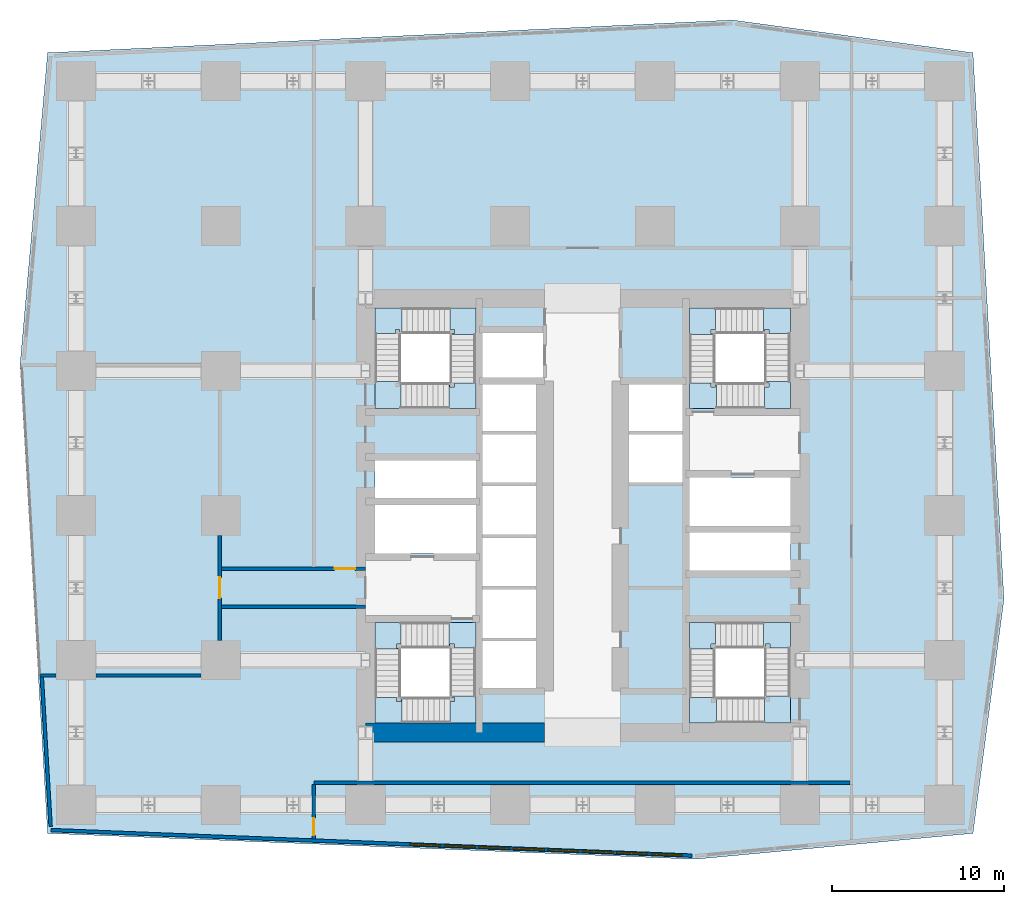
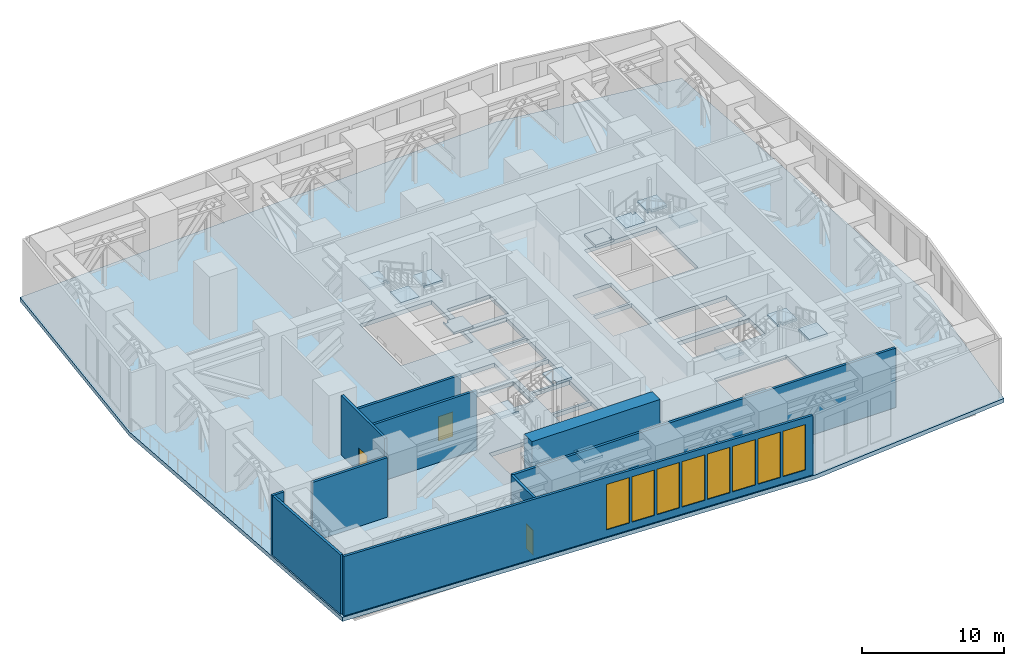
# One storey, part 8 of 16: 17 slabs, 10 walls, 8 windows, 3 doors, 11 openings, 4 elements without a shape of their own.
"""IFC4 building model written with IfcOpenShell, lengths in metres."""

from ifc_helpers import new_model, si_unit, direction, frame, frame_2d, origin, place, context, subcontext, project, spatial, polyline, rectangle, outline, extrude, material, layer, layer_set, type_object, element, fill, aggregate, save


model = new_model("IFC4")

# Units and contexts
model_context = context("Model", 3, precision=1e-05, world=origin(), true_north=direction((0.0, 1.0)))
body_context = subcontext(model_context, "Body", "Model", "MODEL_VIEW")
ifc_project = project(units=[si_unit("LENGTHUNIT", "METRE"), si_unit("AREAUNIT", "SQUARE_METRE"), si_unit("VOLUMEUNIT", "CUBIC_METRE"), si_unit("PLANEANGLEUNIT", "RADIAN"), si_unit("MASSUNIT", "GRAM", prefix="KILO")], contexts=[model_context])

# Site, building, storey
site_placement = place(None, origin())
site = spatial("IfcSite", under=ifc_project, at=site_placement, CompositionType="ELEMENT")
building_placement = place(site_placement, origin())
building = spatial("IfcBuilding", under=site, at=building_placement, Name="Rekha Terrace Tower", CompositionType="ELEMENT")
storey_placement = place(building_placement, frame((0.0, 0.0, 240.199951171875)))
storey = spatial("IfcBuildingStorey", under=building, at=storey_placement, Name="L61", CompositionType="ELEMENT", Elevation=240.199951171875)

# Stair, slabs
ifc_material_1 = material(Name="Concrete M40", Category="concrete")
stair_type = type_object("IfcStairType", Name="ST40 stair, 40 risers of 135, going 310, 1500 wide flights, 4 flights", PredefinedType="QUARTER_TURN_STAIR", material=ifc_material_1)
stair_1_placement = place(storey_placement, origin())
stair_1 = element("IfcStair", 1, at=stair_1_placement, inside=storey, type_object=stair_type, Name="Stair ST1 L61 to L62", PredefinedType="QUARTER_TURN_STAIR")
ifc_layer_1 = layer(ifc_material_1, 0.199951171875)
ifc_layer_set_1 = layer_set([ifc_layer_1], Name="Concrete M40")
slab_type_1 = type_object("IfcSlabType", Name="LD1 200 concrete stair landing", PredefinedType="LANDING", material=ifc_layer_set_1)
slab_1_placement = place(storey_placement, frame((0.0, 0.0, 1.150146484375)))
slab_1 = element("IfcSlab", 2, at=slab_1_placement, type_object=slab_type_1, Name="ST1 landing 1", PredefinedType="LANDING", context=body_context, shape_type="SweptSolid", body=[
    extrude(outline(polyline([(30.10009765625, 21.550048828125), (31.60009765625, 21.550048828125), (31.60009765625, 23.110107421875), (30.10009765625, 23.110107421875), (30.10009765625, 23.050048828125), (30.35009765625, 23.050048828125), (30.35009765625, 22.800048828125), (30.10009765625, 22.800048828125), (30.10009765625, 21.550048828125)])), origin(), (0.0, 0.0, 1.0), 0.199951171875),
])
slab_2_placement = place(storey_placement, frame((0.0, 0.0, 2.5)))
slab_2 = element("IfcSlab", 3, at=slab_2_placement, type_object=slab_type_1, Name="ST1 landing 2", PredefinedType="LANDING", context=body_context, shape_type="SweptSolid", body=[
    extrude(outline(polyline([(25.75, 23.050048828125), (25.75, 21.550048828125), (27.31005859375, 21.550048828125), (27.31005859375, 23.050048828125), (27.25, 23.050048828125), (27.25, 22.800048828125), (27.0, 22.800048828125), (27.0, 23.050048828125), (25.75, 23.050048828125)])), origin(), (0.0, 0.0, 1.0), 0.199951171875),
])
slab_3_placement = place(storey_placement, frame((0.0, 0.0, 3.85009765625)))
slab_3 = element("IfcSlab", 4, at=slab_3_placement, type_object=slab_type_1, Name="ST1 landing 3", PredefinedType="LANDING", context=body_context, shape_type="SweptSolid", body=[
    extrude(outline(polyline([(27.25, 27.39990234375), (25.75, 27.39990234375), (25.75, 25.840087890625), (27.25, 25.840087890625), (27.25, 25.89990234375), (27.0, 25.89990234375), (27.0, 26.14990234375), (27.25, 26.14990234375), (27.25, 27.39990234375)])), origin(), (0.0, 0.0, 1.0), 0.199951171875),
])
slab_4_placement = place(storey_placement, frame((0.0, 0.0, 5.199951171875)))
slab_4 = element("IfcSlab", 5, at=slab_4_placement, type_object=slab_type_1, Name="ST1 landing 4", PredefinedType="LANDING", context=body_context, shape_type="SweptSolid", body=[
    extrude(outline(polyline([(31.60009765625, 25.89990234375), (31.60009765625, 27.39990234375), (30.0400390625, 27.39990234375), (30.0400390625, 25.89990234375), (30.10009765625, 25.89990234375), (30.10009765625, 26.14990234375), (30.35009765625, 26.14990234375), (30.35009765625, 25.89990234375), (31.60009765625, 25.89990234375)])), origin(), (0.0, 0.0, 1.0), 0.2001953125),
])
aggregate(stair_1, [slab_1, slab_2, slab_3, slab_4])

stair_2_placement = place(storey_placement, origin())
stair_2 = element("IfcStair", 6, at=stair_2_placement, inside=storey, type_object=stair_type, Name="Stair ST2 L61 to L62", PredefinedType="QUARTER_TURN_STAIR")
slab_5_placement = place(storey_placement, frame((0.0, 0.0, 1.150146484375)))
slab_5 = element("IfcSlab", 7, at=slab_5_placement, type_object=slab_type_1, Name="ST2 landing 1", PredefinedType="LANDING", context=body_context, shape_type="SweptSolid", body=[
    extrude(outline(polyline([(45.5, 45.64990234375), (44.0, 45.64990234375), (44.0, 44.090087890625), (45.5, 44.090087890625), (45.5, 44.14990234375), (45.25, 44.14990234375), (45.25, 44.39990234375), (45.5, 44.39990234375), (45.5, 45.64990234375)])), origin(), (0.0, 0.0, 1.0), 0.199951171875),
])
slab_6_placement = place(storey_placement, frame((0.0, 0.0, 2.5)))
slab_6 = element("IfcSlab", 8, at=slab_6_placement, type_object=slab_type_1, Name="ST2 landing 2", PredefinedType="LANDING", context=body_context, shape_type="SweptSolid", body=[
    extrude(outline(polyline([(49.85009765625, 44.14990234375), (49.85009765625, 45.64990234375), (48.2900390625, 45.64990234375), (48.2900390625, 44.14990234375), (48.35009765625, 44.14990234375), (48.35009765625, 44.39990234375), (48.60009765625, 44.39990234375), (48.60009765625, 44.14990234375), (49.85009765625, 44.14990234375)])), origin(), (0.0, 0.0, 1.0), 0.199951171875),
])
slab_7_placement = place(storey_placement, frame((0.0, 0.0, 3.85009765625)))
slab_7 = element("IfcSlab", 9, at=slab_7_placement, type_object=slab_type_1, Name="ST2 landing 3", PredefinedType="LANDING", context=body_context, shape_type="SweptSolid", body=[
    extrude(outline(polyline([(48.35009765625, 39.800048828125), (49.85009765625, 39.800048828125), (49.85009765625, 41.360107421875), (48.35009765625, 41.360107421875), (48.35009765625, 41.300048828125), (48.60009765625, 41.300048828125), (48.60009765625, 41.050048828125), (48.35009765625, 41.050048828125), (48.35009765625, 39.800048828125)])), origin(), (0.0, 0.0, 1.0), 0.199951171875),
])
slab_8_placement = place(storey_placement, frame((0.0, 0.0, 5.199951171875)))
slab_8 = element("IfcSlab", 10, at=slab_8_placement, type_object=slab_type_1, Name="ST2 landing 4", PredefinedType="LANDING", context=body_context, shape_type="SweptSolid", body=[
    extrude(outline(polyline([(44.0, 41.300048828125), (44.0, 39.800048828125), (45.56005859375, 39.800048828125), (45.56005859375, 41.300048828125), (45.5, 41.300048828125), (45.5, 41.050048828125), (45.25, 41.050048828125), (45.25, 41.300048828125), (44.0, 41.300048828125)])), origin(), (0.0, 0.0, 1.0), 0.2001953125),
])
aggregate(stair_2, [slab_5, slab_6, slab_7, slab_8])

stair_3_placement = place(storey_placement, origin())
stair_3 = element("IfcStair", 11, at=stair_3_placement, inside=storey, type_object=stair_type, Name="Stair ST3 L61 to L62", PredefinedType="QUARTER_TURN_STAIR")
slab_9_placement = place(storey_placement, frame((0.0, 0.0, 1.150146484375)))
slab_9 = element("IfcSlab", 12, at=slab_9_placement, type_object=slab_type_1, Name="ST3 landing 1", PredefinedType="LANDING", context=body_context, shape_type="SweptSolid", body=[
    extrude(outline(polyline([(45.56005859375, 23.050048828125), (44.0, 23.050048828125), (44.0, 21.550048828125), (45.56005859375, 21.550048828125), (45.56005859375, 23.050048828125)])), origin(), (0.0, 0.0, 1.0), 0.199951171875),
])
slab_10_placement = place(storey_placement, frame((0.0, 0.0, 2.5)))
slab_10 = element("IfcSlab", 13, at=slab_10_placement, type_object=slab_type_1, Name="ST3 landing 2", PredefinedType="LANDING", context=body_context, shape_type="SweptSolid", body=[
    extrude(outline(polyline([(45.5, 27.39990234375), (44.0, 27.39990234375), (44.0, 25.840087890625), (45.5, 25.840087890625), (45.5, 25.89990234375), (45.25, 25.89990234375), (45.25, 26.14990234375), (45.5, 26.14990234375), (45.5, 27.39990234375)])), origin(), (0.0, 0.0, 1.0), 0.199951171875),
])
slab_11_placement = place(storey_placement, frame((0.0, 0.0, 3.85009765625)))
slab_11 = element("IfcSlab", 14, at=slab_11_placement, type_object=slab_type_1, Name="ST3 landing 3", PredefinedType="LANDING", context=body_context, shape_type="SweptSolid", body=[
    extrude(outline(polyline([(49.85009765625, 25.89990234375), (49.85009765625, 27.39990234375), (48.2900390625, 27.39990234375), (48.2900390625, 25.89990234375), (48.419921875, 25.89990234375), (48.419921875, 26.14990234375), (48.669921875, 26.14990234375), (48.669921875, 25.89990234375), (49.85009765625, 25.89990234375)])), origin(), (0.0, 0.0, 1.0), 0.199951171875),
])
slab_12_placement = place(storey_placement, frame((0.0, 0.0, 5.199951171875)))
slab_12 = element("IfcSlab", 15, at=slab_12_placement, type_object=slab_type_1, Name="ST3 landing 4", PredefinedType="LANDING", context=body_context, shape_type="SweptSolid", body=[
    extrude(outline(polyline([(49.85009765625, 23.110107421875), (48.35009765625, 23.110107421875), (48.35009765625, 21.550048828125), (49.85009765625, 21.550048828125), (49.85009765625, 23.110107421875)])), origin(), (0.0, 0.0, 1.0), 0.2001953125),
])
aggregate(stair_3, [slab_9, slab_10, slab_11, slab_12])

stair_4_placement = place(storey_placement, origin())
stair_4 = element("IfcStair", 16, at=stair_4_placement, inside=storey, type_object=stair_type, Name="Stair ST4 L61 to L62", PredefinedType="QUARTER_TURN_STAIR")
slab_13_placement = place(storey_placement, frame((0.0, 0.0, 1.150146484375)))
slab_13 = element("IfcSlab", 17, at=slab_13_placement, type_object=slab_type_1, Name="ST4 landing 1", PredefinedType="LANDING", context=body_context, shape_type="SweptSolid", body=[
    extrude(outline(polyline([(31.60009765625, 41.300048828125), (31.60009765625, 39.800048828125), (30.0400390625, 39.800048828125), (30.0400390625, 41.300048828125), (30.10009765625, 41.300048828125), (30.10009765625, 41.050048828125), (30.35009765625, 41.050048828125), (30.35009765625, 41.300048828125), (31.60009765625, 41.300048828125)])), origin(), (0.0, 0.0, 1.0), 0.199951171875),
])
slab_14_placement = place(storey_placement, frame((0.0, 0.0, 2.5)))
slab_14 = element("IfcSlab", 18, at=slab_14_placement, type_object=slab_type_1, Name="ST4 landing 2", PredefinedType="LANDING", context=body_context, shape_type="SweptSolid", body=[
    extrude(outline(polyline([(30.10009765625, 45.64990234375), (31.60009765625, 45.64990234375), (31.60009765625, 44.090087890625), (30.10009765625, 44.090087890625), (30.10009765625, 44.14990234375), (30.35009765625, 44.14990234375), (30.35009765625, 44.39990234375), (30.10009765625, 44.39990234375), (30.10009765625, 45.64990234375)])), origin(), (0.0, 0.0, 1.0), 0.199951171875),
])
slab_15_placement = place(storey_placement, frame((0.0, 0.0, 3.85009765625)))
slab_15 = element("IfcSlab", 19, at=slab_15_placement, type_object=slab_type_1, Name="ST4 landing 3", PredefinedType="LANDING", context=body_context, shape_type="SweptSolid", body=[
    extrude(outline(polyline([(25.75, 44.14990234375), (25.75, 45.64990234375), (27.31005859375, 45.64990234375), (27.31005859375, 44.14990234375), (27.179931640625, 44.14990234375), (27.179931640625, 44.39990234375), (26.929931640625, 44.39990234375), (26.929931640625, 44.14990234375), (25.75, 44.14990234375)])), origin(), (0.0, 0.0, 1.0), 0.199951171875),
])
slab_16_placement = place(storey_placement, frame((0.0, 0.0, 5.199951171875)))
slab_16 = element("IfcSlab", 20, at=slab_16_placement, type_object=slab_type_1, Name="ST4 landing 4", PredefinedType="LANDING", context=body_context, shape_type="SweptSolid", body=[
    extrude(outline(polyline([(25.75, 41.360107421875), (27.25, 41.360107421875), (27.25, 39.800048828125), (25.75, 39.800048828125), (25.75, 41.360107421875)])), origin(), (0.0, 0.0, 1.0), 0.2001953125),
])
aggregate(stair_4, [slab_13, slab_14, slab_15, slab_16])

# Slab
ifc_material_2 = material(Name="Concrete M50", Category="concrete")
ifc_layer_2 = layer(ifc_material_2, 0.35009765625)
ifc_layer_set_2 = layer_set([ifc_layer_2], Name="Concrete M50")
slab_type_2 = type_object("IfcSlabType", Name="SL5 350 plant and refuge floor slab", PredefinedType="FLOOR", material=ifc_layer_set_2)
slab_17_placement = place(storey_placement, frame((0.0, 0.0, -0.349853515625)))
element("IfcSlab", 21, at=slab_17_placement, inside=storey, type_object=slab_type_2, Name="Plant and refuge floor slab L61", PredefinedType="FLOOR", context=body_context, shape_type="SweptSolid", body=[
    extrude(outline(polyline([(5.14990234375, 42.330078125), (6.75, 15.14990234375), (44.340087890625, 13.64990234375), (60.449951171875, 15.14990234375), (62.25, 28.739990234375), (60.449951171875, 60.449951171875), (46.488037109375, 62.35009765625), (6.75, 60.449951171875), (5.14990234375, 42.330078125)]), holes=[polyline([(31.60009765625, 27.39990234375), (31.60009765625, 21.550048828125), (25.75, 21.550048828125), (25.75, 27.39990234375), (31.60009765625, 27.39990234375)]), polyline([(35.10009765625, 26.300048828125), (35.10009765625, 23.60009765625), (32.0, 23.60009765625), (32.0, 26.300048828125), (35.10009765625, 26.300048828125)]), polyline([(35.10009765625, 29.300048828125), (35.10009765625, 26.5), (32.0, 26.5), (32.0, 29.300048828125), (35.10009765625, 29.300048828125)]), polyline([(35.10009765625, 32.300048828125), (35.10009765625, 29.5), (32.0, 29.5), (32.0, 32.300048828125), (35.10009765625, 32.300048828125)]), polyline([(31.60009765625, 34.199951171875), (31.60009765625, 31.39990234375), (25.75, 31.39990234375), (25.75, 34.199951171875), (31.60009765625, 34.199951171875)]), polyline([(35.10009765625, 35.300048828125), (35.10009765625, 32.5), (32.0, 32.5), (32.0, 35.300048828125), (35.10009765625, 35.300048828125)]), polyline([(31.60009765625, 36.800048828125), (31.60009765625, 34.60009765625), (25.75, 34.60009765625), (25.75, 36.800048828125), (31.60009765625, 36.800048828125)]), polyline([(35.10009765625, 38.300048828125), (35.10009765625, 35.5), (32.0, 35.5), (32.0, 38.300048828125), (35.10009765625, 38.300048828125)]), polyline([(31.60009765625, 45.64990234375), (31.60009765625, 39.800048828125), (25.75, 39.800048828125), (25.75, 45.64990234375), (31.60009765625, 45.64990234375)]), polyline([(49.85009765625, 27.39990234375), (49.85009765625, 21.550048828125), (44.0, 21.550048828125), (44.0, 27.39990234375), (49.85009765625, 27.39990234375)]), polyline([(49.85009765625, 32.60009765625), (49.85009765625, 30.39990234375), (44.0, 30.39990234375), (44.0, 32.60009765625), (49.85009765625, 32.60009765625)]), polyline([(49.85009765625, 35.800048828125), (49.85009765625, 33.0), (44.0, 33.0), (44.0, 35.800048828125), (49.85009765625, 35.800048828125)]), polyline([(43.60009765625, 38.300048828125), (43.60009765625, 35.5), (40.5, 35.5), (40.5, 38.300048828125), (43.60009765625, 38.300048828125)]), polyline([(35.10009765625, 41.199951171875), (35.10009765625, 38.5), (32.0, 38.5), (32.0, 41.199951171875), (35.10009765625, 41.199951171875)]), polyline([(43.60009765625, 41.199951171875), (43.60009765625, 38.5), (40.5, 38.5), (40.5, 41.199951171875), (43.60009765625, 41.199951171875)]), polyline([(49.85009765625, 39.800048828125), (44.0, 39.800048828125), (44.0, 45.64990234375), (49.85009765625, 45.64990234375), (49.85009765625, 39.800048828125)]), polyline([(35.5, 41.60009765625), (32.0, 41.60009765625), (32.0, 44.199951171875), (35.5, 44.199951171875), (35.5, 41.60009765625)])]), origin(), (0.0, 0.0, 1.0), 0.349853515625),
])

# Wall, openings, windows
ifc_material_3 = material(Name="Aluminium cladding on steel stud wall", Category="steel")
ifc_layer_3 = layer(ifc_material_3, 0.199951171875)
ifc_layer_set_3 = layer_set([ifc_layer_3], Name="Aluminium cladding on steel stud wall")
wall_type_1 = type_object("IfcWallType", Name="EW1 plant floor louvre wall 200", PredefinedType="SOLIDWALL", material=ifc_layer_set_3)
wall_1_placement = place(storey_placement, frame((6.93896484375, 15.342529296875, 0.0), z_axis=(0.0, 0.0, 1.0), x_axis=(0.999204924477, -0.039868770993, 0.0)))
wall_1 = element("IfcWall", 22, at=wall_1_placement, inside=storey, type_object=wall_type_1, Name="Plant floor louvre wall", PredefinedType="SOLIDWALL", context=body_context, shape_type="SweptSolid", body=[
    extrude(rectangle(XDim=37.225341796875, YDim=0.199951171875, at=frame_2d((18.61279296875, 0.0))), origin(), (0.0, 0.0, 1.0), 5.10009765625),
])
opening_1_placement = place(wall_1_placement, frame((20.857666015625, 0.0, 0.60009765625)))
opening_1 = element("IfcOpeningElement", 23, at=opening_1_placement, cuts=wall_1, Name="Opening LV2", PredefinedType="OPENING", context=body_context, shape_type="SweptSolid", body=[
    extrude(rectangle(XDim=1.800048828125, YDim=3.89990234375, at=frame_2d((0.89990234375, 1.949951171875))), frame((0.0, 0.10986328125, 0.0), z_axis=(0.0, -1.0, 0.0), x_axis=(1.0, 0.0, 0.0)), (0.0, 0.0, 1.0), 0.219970703125),
])
opening_2_placement = place(wall_1_placement, frame((22.857666015625, 0.0, 0.60009765625)))
opening_2 = element("IfcOpeningElement", 24, at=opening_2_placement, cuts=wall_1, Name="Opening LV2", PredefinedType="OPENING", context=body_context, shape_type="SweptSolid", body=[
    extrude(rectangle(XDim=1.800048828125, YDim=3.89990234375, at=frame_2d((0.89990234375, 1.949951171875))), frame((0.0, 0.10986328125, 0.0), z_axis=(0.0, -1.0, 0.0), x_axis=(1.0, 0.0, 0.0)), (0.0, 0.0, 1.0), 0.219970703125),
])
opening_3_placement = place(wall_1_placement, frame((24.857666015625, 0.0, 0.60009765625)))
opening_3 = element("IfcOpeningElement", 25, at=opening_3_placement, cuts=wall_1, Name="Opening LV2", PredefinedType="OPENING", context=body_context, shape_type="SweptSolid", body=[
    extrude(rectangle(XDim=1.800048828125, YDim=3.89990234375, at=frame_2d((0.89990234375, 1.949951171875))), frame((0.0, 0.10986328125, 0.0), z_axis=(0.0, -1.0, 0.0), x_axis=(1.0, 0.0, 0.0)), (0.0, 0.0, 1.0), 0.219970703125),
])
opening_4_placement = place(wall_1_placement, frame((26.857666015625, 0.0, 0.60009765625)))
opening_4 = element("IfcOpeningElement", 26, at=opening_4_placement, cuts=wall_1, Name="Opening LV2", PredefinedType="OPENING", context=body_context, shape_type="SweptSolid", body=[
    extrude(rectangle(XDim=1.800048828125, YDim=3.89990234375, at=frame_2d((0.89990234375, 1.949951171875))), frame((0.0, 0.10986328125, 0.0), z_axis=(0.0, -1.0, 0.0), x_axis=(1.0, 0.0, 0.0)), (0.0, 0.0, 1.0), 0.219970703125),
])
opening_5_placement = place(wall_1_placement, frame((28.857666015625, 0.0, 0.60009765625)))
opening_5 = element("IfcOpeningElement", 27, at=opening_5_placement, cuts=wall_1, Name="Opening LV2", PredefinedType="OPENING", context=body_context, shape_type="SweptSolid", body=[
    extrude(rectangle(XDim=1.800048828125, YDim=3.89990234375, at=frame_2d((0.89990234375, 1.949951171875))), frame((0.0, 0.10986328125, 0.0), z_axis=(0.0, -1.0, 0.0), x_axis=(1.0, 0.0, 0.0)), (0.0, 0.0, 1.0), 0.219970703125),
])
opening_6_placement = place(wall_1_placement, frame((30.857666015625, 0.0, 0.60009765625)))
opening_6 = element("IfcOpeningElement", 28, at=opening_6_placement, cuts=wall_1, Name="Opening LV2", PredefinedType="OPENING", context=body_context, shape_type="SweptSolid", body=[
    extrude(rectangle(XDim=1.800048828125, YDim=3.89990234375, at=frame_2d((0.89990234375, 1.949951171875))), frame((0.0, 0.10986328125, 0.0), z_axis=(0.0, -1.0, 0.0), x_axis=(1.0, 0.0, 0.0)), (0.0, 0.0, 1.0), 0.219970703125),
])
opening_7_placement = place(wall_1_placement, frame((32.857666015625, 0.0, 0.60009765625)))
opening_7 = element("IfcOpeningElement", 29, at=opening_7_placement, cuts=wall_1, Name="Opening LV2", PredefinedType="OPENING", context=body_context, shape_type="SweptSolid", body=[
    extrude(rectangle(XDim=1.800048828125, YDim=3.89990234375, at=frame_2d((0.89990234375, 1.949951171875))), frame((0.0, 0.10986328125, 0.0), z_axis=(0.0, -1.0, 0.0), x_axis=(1.0, 0.0, 0.0)), (0.0, 0.0, 1.0), 0.219970703125),
])
opening_8_placement = place(wall_1_placement, frame((34.857666015625, 0.0, 0.60009765625)))
opening_8 = element("IfcOpeningElement", 30, at=opening_8_placement, cuts=wall_1, Name="Opening LV2", PredefinedType="OPENING", context=body_context, shape_type="SweptSolid", body=[
    extrude(rectangle(XDim=1.800048828125, YDim=3.89990234375, at=frame_2d((0.89990234375, 1.949951171875))), frame((0.0, 0.10986328125, 0.0), z_axis=(0.0, -1.0, 0.0), x_axis=(1.0, 0.0, 0.0)), (0.0, 0.0, 1.0), 0.219970703125),
])
ifc_material_4 = material(Name="Extruded aluminium weather louvre", Category="aluminium")
window_type = type_object("IfcWindowType", Name="LV2 plant louvre 1800", PartitioningType="SINGLE_PANEL", PredefinedType="USERDEFINED", material=ifc_material_4)
window_1_placement = place(opening_1_placement, origin())
window_1 = element("IfcWindow", 31, at=window_1_placement, inside=storey, type_object=window_type, Name="Plant louvre", ObjectType="LOUVRE", OverallHeight=3.89990234375, OverallWidth=1.800048828125, PartitioningType="SINGLE_PANEL", PredefinedType="USERDEFINED", context=body_context, shape_type="SweptSolid", body=[
    extrude(rectangle(XDim=1.800048828125, YDim=3.89990234375, at=frame_2d((0.89990234375, 1.949951171875))), frame((0.0, 0.030029296875, 0.0), z_axis=(0.0, -1.0, 0.0), x_axis=(1.0, 0.0, 0.0)), (0.0, 0.0, 1.0), 0.06005859375),
])
fill(opening_1, window_1)
window_2_placement = place(opening_2_placement, origin())
window_2 = element("IfcWindow", 32, at=window_2_placement, inside=storey, type_object=window_type, Name="Plant louvre", ObjectType="LOUVRE", OverallHeight=3.89990234375, OverallWidth=1.800048828125, PartitioningType="SINGLE_PANEL", PredefinedType="USERDEFINED", context=body_context, shape_type="SweptSolid", body=[
    extrude(rectangle(XDim=1.800048828125, YDim=3.89990234375, at=frame_2d((0.89990234375, 1.949951171875))), frame((0.0, 0.030029296875, 0.0), z_axis=(0.0, -1.0, 0.0), x_axis=(1.0, 0.0, 0.0)), (0.0, 0.0, 1.0), 0.06005859375),
])
fill(opening_2, window_2)
window_3_placement = place(opening_3_placement, origin())
window_3 = element("IfcWindow", 33, at=window_3_placement, inside=storey, type_object=window_type, Name="Plant louvre", ObjectType="LOUVRE", OverallHeight=3.89990234375, OverallWidth=1.800048828125, PartitioningType="SINGLE_PANEL", PredefinedType="USERDEFINED", context=body_context, shape_type="SweptSolid", body=[
    extrude(rectangle(XDim=1.800048828125, YDim=3.89990234375, at=frame_2d((0.89990234375, 1.949951171875))), frame((0.0, 0.030029296875, 0.0), z_axis=(0.0, -1.0, 0.0), x_axis=(1.0, 0.0, 0.0)), (0.0, 0.0, 1.0), 0.06005859375),
])
fill(opening_3, window_3)
window_4_placement = place(opening_4_placement, origin())
window_4 = element("IfcWindow", 34, at=window_4_placement, inside=storey, type_object=window_type, Name="Plant louvre", ObjectType="LOUVRE", OverallHeight=3.89990234375, OverallWidth=1.800048828125, PartitioningType="SINGLE_PANEL", PredefinedType="USERDEFINED", context=body_context, shape_type="SweptSolid", body=[
    extrude(rectangle(XDim=1.800048828125, YDim=3.89990234375, at=frame_2d((0.89990234375, 1.949951171875))), frame((0.0, 0.030029296875, 0.0), z_axis=(0.0, -1.0, 0.0), x_axis=(1.0, 0.0, 0.0)), (0.0, 0.0, 1.0), 0.06005859375),
])
fill(opening_4, window_4)
window_5_placement = place(opening_5_placement, origin())
window_5 = element("IfcWindow", 35, at=window_5_placement, inside=storey, type_object=window_type, Name="Plant louvre", ObjectType="LOUVRE", OverallHeight=3.89990234375, OverallWidth=1.800048828125, PartitioningType="SINGLE_PANEL", PredefinedType="USERDEFINED", context=body_context, shape_type="SweptSolid", body=[
    extrude(rectangle(XDim=1.800048828125, YDim=3.89990234375, at=frame_2d((0.89990234375, 1.949951171875))), frame((0.0, 0.030029296875, 0.0), z_axis=(0.0, -1.0, 0.0), x_axis=(1.0, 0.0, 0.0)), (0.0, 0.0, 1.0), 0.06005859375),
])
fill(opening_5, window_5)
window_6_placement = place(opening_6_placement, origin())
window_6 = element("IfcWindow", 36, at=window_6_placement, inside=storey, type_object=window_type, Name="Plant louvre", ObjectType="LOUVRE", OverallHeight=3.89990234375, OverallWidth=1.800048828125, PartitioningType="SINGLE_PANEL", PredefinedType="USERDEFINED", context=body_context, shape_type="SweptSolid", body=[
    extrude(rectangle(XDim=1.800048828125, YDim=3.89990234375, at=frame_2d((0.89990234375, 1.949951171875))), frame((0.0, 0.030029296875, 0.0), z_axis=(0.0, -1.0, 0.0), x_axis=(1.0, 0.0, 0.0)), (0.0, 0.0, 1.0), 0.06005859375),
])
fill(opening_6, window_6)
window_7_placement = place(opening_7_placement, origin())
window_7 = element("IfcWindow", 37, at=window_7_placement, inside=storey, type_object=window_type, Name="Plant louvre", ObjectType="LOUVRE", OverallHeight=3.89990234375, OverallWidth=1.800048828125, PartitioningType="SINGLE_PANEL", PredefinedType="USERDEFINED", context=body_context, shape_type="SweptSolid", body=[
    extrude(rectangle(XDim=1.800048828125, YDim=3.89990234375, at=frame_2d((0.89990234375, 1.949951171875))), frame((0.0, 0.030029296875, 0.0), z_axis=(0.0, -1.0, 0.0), x_axis=(1.0, 0.0, 0.0)), (0.0, 0.0, 1.0), 0.06005859375),
])
fill(opening_7, window_7)
window_8_placement = place(opening_8_placement, origin())
window_8 = element("IfcWindow", 38, at=window_8_placement, inside=storey, type_object=window_type, Name="Plant louvre", ObjectType="LOUVRE", OverallHeight=3.89990234375, OverallWidth=1.800048828125, PartitioningType="SINGLE_PANEL", PredefinedType="USERDEFINED", context=body_context, shape_type="SweptSolid", body=[
    extrude(rectangle(XDim=1.800048828125, YDim=3.89990234375, at=frame_2d((0.89990234375, 1.949951171875))), frame((0.0, 0.030029296875, 0.0), z_axis=(0.0, -1.0, 0.0), x_axis=(1.0, 0.0, 0.0)), (0.0, 0.0, 1.0), 0.06005859375),
])
fill(opening_8, window_8)

# Walls
wall_2_placement = place(storey_placement, frame((6.4169921875, 24.2119140625, 0.0), z_axis=(0.0, 0.0, 1.0), x_axis=(0.058753332476, -0.998272530887, 0.0)))
element("IfcWall", 39, at=wall_2_placement, inside=storey, type_object=wall_type_1, Name="Plant floor louvre wall", PredefinedType="SOLIDWALL", context=body_context, shape_type="SweptSolid", body=[
    extrude(rectangle(XDim=8.6845703125, YDim=0.199951171875, at=frame_2d((4.34228515625, 0.0))), origin(), (0.0, 0.0, 1.0), 5.10009765625),
])
ifc_material_5 = material(Name="Concrete M60", Category="concrete")
ifc_layer_4 = layer(ifc_material_5, 1.10009765625)
ifc_layer_set_4 = layer_set([ifc_layer_4], Name="Concrete M60")
wall_type_2 = type_object("IfcWallType", Name="SW4 1100 core outer shear wall", PredefinedType="SHEAR", material=ifc_layer_set_4)
wall_3_placement = place(storey_placement, frame((25.199951171875, 21.0, 0.0), z_axis=(0.0, 0.0, 1.0), x_axis=(1.0, 0.0, 0.0)))
element("IfcWall", 40, at=wall_3_placement, inside=storey, type_object=wall_type_2, Name="Core wall S1 L61", PredefinedType="SHEAR", context=body_context, shape_type="SweptSolid", body=[
    extrude(rectangle(XDim=10.400146484375, YDim=1.10009765625, at=frame_2d((5.2001953125, 0.0))), origin(), (0.0, 0.0, 1.0), 5.400146484375),
])

# Wall, opening, door
ifc_material_6 = material(Name="Solid concrete block masonry, 2 hour", Category="masonry")
ifc_layer_5 = layer(ifc_material_6, 0.199951171875)
ifc_layer_set_5 = layer_set([ifc_layer_5], Name="Solid concrete block masonry, 2 hour")
wall_type_3 = type_object("IfcWallType", Name="WP1 200 plant room wall", PredefinedType="PARTITIONING", material=ifc_layer_set_5)
wall_4_placement = place(storey_placement, frame((22.199951171875, 14.833984375, 0.0), z_axis=(0.0, 0.0, 1.0), x_axis=(0.0, 1.0, 0.0)))
wall_4 = element("IfcWall", 41, at=wall_4_placement, inside=storey, type_object=wall_type_3, Name="Partition L61-02", PredefinedType="PARTITIONING", context=body_context, shape_type="SweptSolid", body=[
    extrude(rectangle(XDim=3.166015625, YDim=0.199951171875, at=frame_2d((1.5830078125, 0.0))), origin(), (0.0, 0.0, 1.0), 5.10009765625),
])
opening_9_placement = place(wall_4_placement, frame((0.2080078125, 0.0, 0.0)))
opening_9 = element("IfcOpeningElement", 42, at=opening_9_placement, cuts=wall_4, Name="Opening D9", PredefinedType="OPENING", context=body_context, shape_type="SweptSolid", body=[
    extrude(rectangle(XDim=1.0, YDim=2.10009765625, at=frame_2d((0.5, 1.050048828125))), frame((0.0, 0.10986328125, 0.0), z_axis=(0.0, -1.0, 0.0), x_axis=(1.0, 0.0, 0.0)), (0.0, 0.0, 1.0), 0.219970703125),
])
ifc_material_7 = material(Name="Timber fire door", Category="wood")
door_type_1 = type_object("IfcDoorType", Name="D9 1000x2100 office door", OperationType="SINGLE_SWING_LEFT", PredefinedType="DOOR", material=ifc_material_7)
door_1_placement = place(opening_9_placement, origin())
door_1 = element("IfcDoor", 43, at=door_1_placement, inside=storey, type_object=door_type_1, Name="Door pump and water treatment plant room L61", OperationType="SINGLE_SWING_LEFT", OverallHeight=2.10009765625, OverallWidth=1.0, PredefinedType="DOOR", context=body_context, shape_type="SweptSolid", body=[
    extrude(rectangle(XDim=1.0, YDim=2.10009765625, at=frame_2d((0.5, 1.050048828125))), frame((0.0, 0.02490234375, 0.0), z_axis=(0.0, -1.0, 0.0), x_axis=(1.0, 0.0, 0.0)), (0.0, 0.0, 1.0), 0.050048828125),
])
fill(opening_9, door_1)

# Wall
wall_5_placement = place(storey_placement, frame((22.199951171875, 18.080078125, 0.0), z_axis=(0.0, 0.0, 1.0), x_axis=(1.0, 0.0, 0.0)))
element("IfcWall", 44, at=wall_5_placement, inside=storey, type_object=wall_type_3, Name="Partition L61-02", PredefinedType="PARTITIONING", context=body_context, shape_type="SweptSolid", body=[
    extrude(rectangle(XDim=31.10009765625, YDim=0.199951171875, at=frame_2d((15.550048828125, 0.0))), origin(), (0.0, 0.0, 1.0), 5.10009765625),
])

# Wall, opening, door
ifc_layer_6 = layer(ifc_material_6, 0.199951171875)
ifc_layer_set_6 = layer_set([ifc_layer_6], Name="Solid concrete block masonry, 2 hour")
wall_type_4 = type_object("IfcWallType", Name="WS1 200 stair and shaft enclosure", PredefinedType="PARTITIONING", material=ifc_layer_set_6)
wall_6_placement = place(storey_placement, frame((16.75, 26.35009765625, 0.0), z_axis=(0.0, 0.0, 1.0), x_axis=(0.0, 1.0, 0.0)))
wall_6 = element("IfcWall", 45, at=wall_6_placement, inside=storey, type_object=wall_type_4, Name="Refuge area inner wall L61", PredefinedType="PARTITIONING", context=body_context, shape_type="SweptSolid", body=[
    extrude(rectangle(XDim=6.099853515625, YDim=0.199951171875, at=frame_2d((3.0498046875, 0.0))), origin(), (0.0, 0.0, 1.0), 5.10009765625),
])
opening_10_placement = place(wall_6_placement, frame((2.449951171875, 0.0, 0.0)))
opening_10 = element("IfcOpeningElement", 46, at=opening_10_placement, cuts=wall_6, Name="Opening D2", PredefinedType="OPENING", context=body_context, shape_type="SweptSolid", body=[
    extrude(rectangle(XDim=1.199951171875, YDim=2.10009765625, at=frame_2d((0.60009765625, 1.050048828125))), frame((0.0, 0.10986328125, 0.0), z_axis=(0.0, -1.0, 0.0), x_axis=(1.0, 0.0, 0.0)), (0.0, 0.0, 1.0), 0.219970703125),
])
ifc_material_8 = material(Name="Steel fire door", Category="steel")
door_type_2 = type_object("IfcDoorType", Name="D2 1200x2100 firefighting lobby door", OperationType="SINGLE_SWING_LEFT", PredefinedType="DOOR", material=ifc_material_8)
door_2_placement = place(opening_10_placement, origin())
door_2 = element("IfcDoor", 47, at=door_2_placement, inside=storey, type_object=door_type_2, Name="Refuge area door L61", OperationType="SINGLE_SWING_LEFT", OverallHeight=2.10009765625, OverallWidth=1.199951171875, PredefinedType="DOOR", context=body_context, shape_type="SweptSolid", body=[
    extrude(rectangle(XDim=1.199951171875, YDim=2.10009765625, at=frame_2d((0.60009765625, 1.050048828125))), frame((0.0, 0.02490234375, 0.0), z_axis=(0.0, -1.0, 0.0), x_axis=(1.0, 0.0, 0.0)), (0.0, 0.0, 1.0), 0.050048828125),
])
fill(opening_10, door_2)

# Walls
wall_7_placement = place(storey_placement, frame((6.31103515625, 24.31201171875, 0.0), z_axis=(0.0, 0.0, 1.0), x_axis=(1.0, 0.0, 0.0)))
element("IfcWall", 48, at=wall_7_placement, inside=storey, type_object=wall_type_4, Name="Refuge area south wall L61", PredefinedType="PARTITIONING", context=body_context, shape_type="SweptSolid", body=[
    extrude(rectangle(XDim=0.93896484375, YDim=0.199951171875, at=frame_2d((0.469482421875, 0.0))), origin(), (0.0, 0.0, 1.0), 5.10009765625),
])
wall_8_placement = place(storey_placement, frame((9.550048828125, 24.31201171875, 0.0), z_axis=(0.0, 0.0, 1.0), x_axis=(1.0, 0.0, 0.0)))
element("IfcWall", 49, at=wall_8_placement, inside=storey, type_object=wall_type_4, Name="Refuge area south wall L61", PredefinedType="PARTITIONING", context=body_context, shape_type="SweptSolid", body=[
    extrude(rectangle(XDim=6.099853515625, YDim=0.199951171875, at=frame_2d((3.0498046875, 0.0))), origin(), (0.0, 0.0, 1.0), 5.10009765625),
])

# Wall, opening, door
wall_9_placement = place(storey_placement, frame((16.75, 30.5, 0.0), z_axis=(0.0, 0.0, 1.0), x_axis=(1.0, 0.0, 0.0)))
wall_9 = element("IfcWall", 50, at=wall_9_placement, inside=storey, type_object=wall_type_4, Name="Refuge corridor north wall L61", PredefinedType="PARTITIONING", context=body_context, shape_type="SweptSolid", body=[
    extrude(rectangle(XDim=8.449951171875, YDim=0.199951171875, at=frame_2d((4.22509765625, 0.0))), origin(), (0.0, 0.0, 1.0), 5.10009765625),
])
opening_11_placement = place(wall_9_placement, frame((6.64990234375, 0.0, 0.0)))
opening_11 = element("IfcOpeningElement", 51, at=opening_11_placement, cuts=wall_9, Name="Opening D2", PredefinedType="OPENING", context=body_context, shape_type="SweptSolid", body=[
    extrude(rectangle(XDim=1.199951171875, YDim=2.10009765625, at=frame_2d((0.60009765625, 1.050048828125))), frame((0.0, 0.10986328125, 0.0), z_axis=(0.0, -1.0, 0.0), x_axis=(1.0, 0.0, 0.0)), (0.0, 0.0, 1.0), 0.219970703125),
])
door_3_placement = place(opening_11_placement, origin())
door_3 = element("IfcDoor", 52, at=door_3_placement, inside=storey, type_object=door_type_2, Name="Refuge corridor door L61", OperationType="SINGLE_SWING_LEFT", OverallHeight=2.10009765625, OverallWidth=1.199951171875, PredefinedType="DOOR", context=body_context, shape_type="SweptSolid", body=[
    extrude(rectangle(XDim=1.199951171875, YDim=2.10009765625, at=frame_2d((0.60009765625, 1.050048828125))), frame((0.0, 0.02490234375, 0.0), z_axis=(0.0, -1.0, 0.0), x_axis=(1.0, 0.0, 0.0)), (0.0, 0.0, 1.0), 0.050048828125),
])
fill(opening_11, door_3)

# Wall
wall_10_placement = place(storey_placement, frame((16.75, 28.300048828125, 0.0), z_axis=(0.0, 0.0, 1.0), x_axis=(1.0, 0.0, 0.0)))
element("IfcWall", 53, at=wall_10_placement, inside=storey, type_object=wall_type_4, Name="Refuge corridor south wall L61", PredefinedType="PARTITIONING", context=body_context, shape_type="SweptSolid", body=[
    extrude(rectangle(XDim=8.449951171875, YDim=0.199951171875, at=frame_2d((4.22509765625, 0.0))), origin(), (0.0, 0.0, 1.0), 5.10009765625),
])

save(model, "model.ifc")
